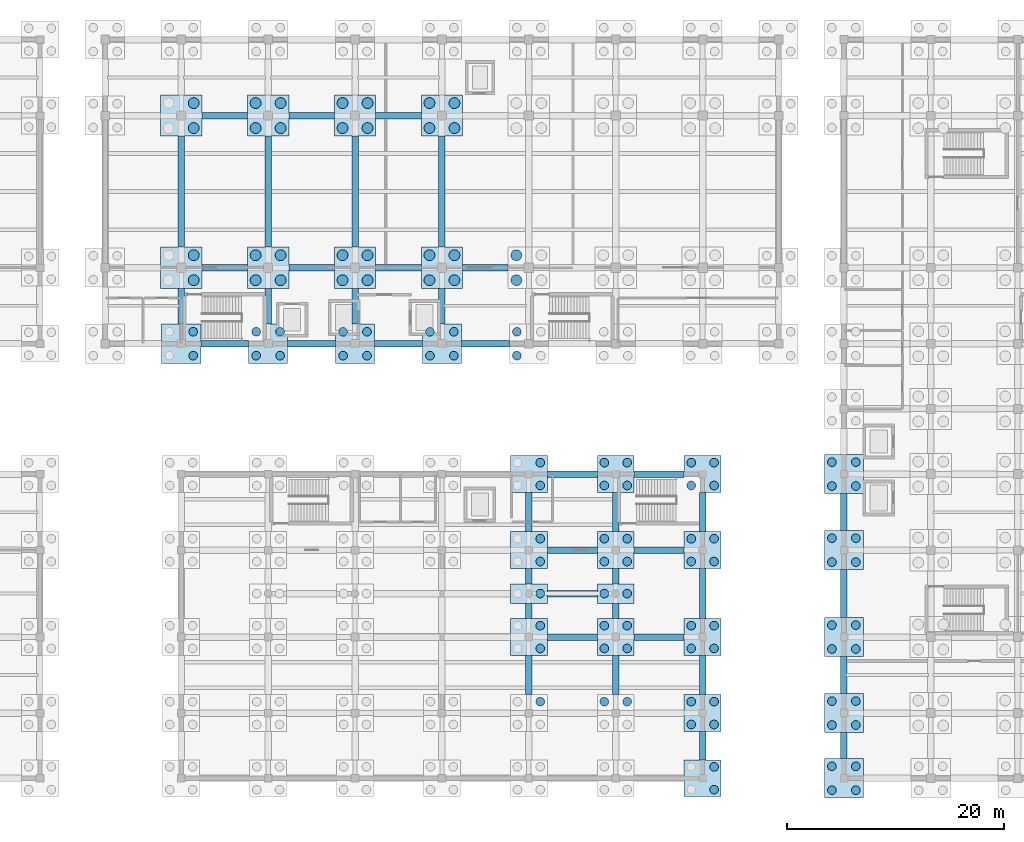
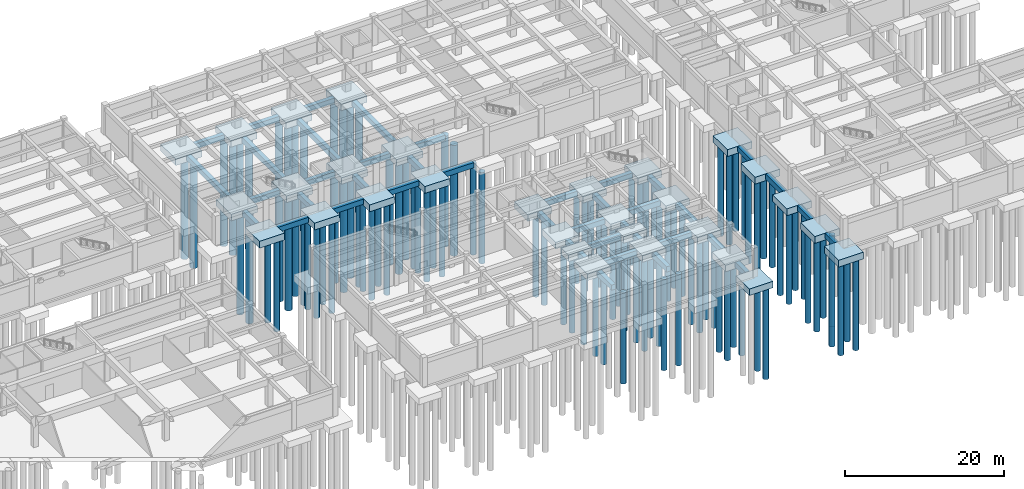
# One storey, part 4 of 28: 108 piles, 72 footings.
"""IFC4 building model written with IfcOpenShell, lengths in metres."""

from ifc_helpers import new_model, si_unit, direction, frame, origin, origin_2d, place, context, subcontext, project, spatial, rectangle, circle, extrude, material, material_profile, profile_set, type_object, element, save


model = new_model("IFC4")

# Units and contexts
model_context = context("Model", 3, precision=1e-05, world=origin(), true_north=direction((0.0, 1.0)))
body_context = subcontext(model_context, "Body", "Model", "MODEL_VIEW")
ifc_project = project(units=[si_unit("LENGTHUNIT", "METRE"), si_unit("AREAUNIT", "SQUARE_METRE"), si_unit("VOLUMEUNIT", "CUBIC_METRE"), si_unit("PLANEANGLEUNIT", "RADIAN"), si_unit("MASSUNIT", "GRAM", prefix="KILO")], contexts=[model_context])

# Site, building, storey
site_placement = place(None, origin())
site = spatial("IfcSite", under=ifc_project, at=site_placement, CompositionType="ELEMENT")
building_placement = place(site_placement, origin())
building = spatial("IfcBuilding", under=site, at=building_placement, Name="Naurynzar Civic Courthouse", CompositionType="ELEMENT")
storey_placement = place(building_placement, frame((0.0, 0.0, -4.5)))
storey = spatial("IfcBuildingStorey", under=building, at=storey_placement, Name="B01", CompositionType="ELEMENT", Elevation=-4.5)

# Footings
ifc_material_1 = material(Name="Concrete C35/45", Category="concrete")
footing_type_1 = type_object("IfcFootingType", Name="CAP-2A-3400x1800", PredefinedType="PILE_CAP", material=ifc_material_1)
for number, where, z_axis, x_axis, name in (
    (1, (101.0, 21.0, -1.39990234375), (0.0, 0.0, 1.0), (1.0, 0.0, 0.0), "V3 pile cap 37"),
    (2, (109.0, 21.0, -1.39990234375), (0.0, 0.0, 1.0), (1.0, 0.0, 0.0), "V3 pile cap 38"),
):
    element("IfcFooting", number, at=place(storey_placement, frame(where, z_axis=z_axis, x_axis=x_axis)), inside=storey, type_object=footing_type_1, Name=name, PredefinedType="PILE_CAP", context=body_context, shape_type="SweptSolid", body=[
        extrude(rectangle(XDim=3.39990234375, YDim=1.800048828125, at=origin_2d()), origin(), (0.0, 0.0, 1.0), 1.0),
    ])
ifc_material_2 = material(Name="Concrete C35/45", Category="concrete")
footing_type_2 = type_object("IfcFootingType", Name="CAP-4A-3400", PredefinedType="PILE_CAP", material=ifc_material_2)
for number, where, z_axis, x_axis, name in (
    (3, (101.0, 17.0, -1.39990234375), (0.0, 0.0, 1.0), (1.0, 0.0, 0.0), "V3 pile cap 22"),
    (4, (101.0, 25.0, -1.39990234375), (0.0, 0.0, 1.0), (1.0, 0.0, 0.0), "V3 pile cap 23"),
    (5, (101.0, 32.0, -1.39990234375), (0.0, 0.0, 1.0), (1.0, 0.0, 0.0), "V3 pile cap 24"),
    (6, (109.0, 17.0, -1.39990234375), (0.0, 0.0, 1.0), (1.0, 0.0, 0.0), "V3 pile cap 27"),
    (7, (109.0, 25.0, -1.39990234375), (0.0, 0.0, 1.0), (1.0, 0.0, 0.0), "V3 pile cap 28"),
    (8, (109.0, 32.0, -1.39990234375), (0.0, 0.0, 1.0), (1.0, 0.0, 0.0), "V3 pile cap 29"),
    (9, (117.0, 4.0, -1.39990234375), (0.0, 0.0, 1.0), (1.0, 0.0, 0.0), "V3 pile cap 30"),
    (10, (117.0, 10.0, -1.39990234375), (0.0, 0.0, 1.0), (1.0, 0.0, 0.0), "V3 pile cap 31"),
    (11, (117.0, 17.0, -1.39990234375), (0.0, 0.0, 1.0), (1.0, 0.0, 0.0), "V3 pile cap 32"),
    (12, (117.0, 25.0, -1.39990234375), (0.0, 0.0, 1.0), (1.0, 0.0, 0.0), "V3 pile cap 33"),
    (13, (117.0, 32.0, -1.39990234375), (0.0, 0.0, 1.0), (1.0, 0.0, 0.0), "V3 pile cap 34"),
):
    element("IfcFooting", number, at=place(storey_placement, frame(where, z_axis=z_axis, x_axis=x_axis)), inside=storey, type_object=footing_type_2, Name=name, PredefinedType="PILE_CAP", context=body_context, shape_type="SweptSolid", body=[
        extrude(rectangle(XDim=3.39990234375, YDim=3.39990234375, at=origin_2d()), origin(), (0.0, 0.0, 1.0), 1.0),
    ])
ifc_material_3 = material(Name="Concrete C35/45", Category="concrete")
footing_type_3 = type_object("IfcFootingType", Name="CAP-4B-3800", PredefinedType="PILE_CAP", material=ifc_material_3)
for number, where, z_axis, x_axis, name in (
    (14, (69.0, 51.0, -1.449951171875), (0.0, 0.0, 1.0), (1.0, 0.0, 0.0), "V2 pile cap 6"),
    (15, (69.0, 65.0, -1.449951171875), (0.0, 0.0, 1.0), (1.0, 0.0, 0.0), "V2 pile cap 7"),
    (16, (77.0, 51.0, -1.449951171875), (0.0, 0.0, 1.0), (1.0, 0.0, 0.0), "V2 pile cap 10"),
    (17, (77.0, 65.0, -1.449951171875), (0.0, 0.0, 1.0), (1.0, 0.0, 0.0), "V2 pile cap 11"),
    (18, (85.0, 51.0, -1.449951171875), (0.0, 0.0, 1.0), (1.0, 0.0, 0.0), "V2 pile cap 14"),
    (19, (85.0, 65.0, -1.449951171875), (0.0, 0.0, 1.0), (1.0, 0.0, 0.0), "V2 pile cap 15"),
    (20, (93.0, 51.0, -1.449951171875), (0.0, 0.0, 1.0), (1.0, 0.0, 0.0), "V2 pile cap 18"),
    (21, (93.0, 65.0, -1.449951171875), (0.0, 0.0, 1.0), (1.0, 0.0, 0.0), "V2 pile cap 19"),
):
    element("IfcFooting", number, at=place(storey_placement, frame(where, z_axis=z_axis, x_axis=x_axis)), inside=storey, type_object=footing_type_3, Name=name, PredefinedType="PILE_CAP", context=body_context, shape_type="SweptSolid", body=[
        extrude(rectangle(XDim=3.800048828125, YDim=3.800048828125, at=origin_2d()), origin(), (0.0, 0.0, 1.0), 1.0),
    ])
ifc_material_4 = material(Name="Concrete C35/45", Category="concrete")
footing_type_4 = type_object("IfcFootingType", Name="CAP-4C-3600", PredefinedType="PILE_CAP", material=ifc_material_4)
for number, where, z_axis, x_axis, name in (
    (22, (69.0, 44.0, -1.5), (0.0, 0.0, 1.0), (1.0, 0.0, 0.0), "V2 pile cap 5"),
    (23, (77.0, 44.0, -1.5), (0.0, 0.0, 1.0), (1.0, 0.0, 0.0), "V2 pile cap 9"),
    (24, (85.0, 44.0, -1.5), (0.0, 0.0, 1.0), (1.0, 0.0, 0.0), "V2 pile cap 13"),
    (25, (93.0, 44.0, -1.5), (0.0, 0.0, 1.0), (1.0, 0.0, 0.0), "V2 pile cap 17"),
    (26, (130.0, 4.0, -1.5), (0.0, 0.0, 1.0), (1.0, 0.0, 0.0), "V5 pile cap 1"),
    (27, (130.0, 10.0, -1.5), (0.0, 0.0, 1.0), (1.0, 0.0, 0.0), "V5 pile cap 2"),
    (28, (130.0, 17.0, -1.5), (0.0, 0.0, 1.0), (1.0, 0.0, 0.0), "V5 pile cap 3"),
    (29, (130.0, 25.0, -1.5), (0.0, 0.0, 1.0), (1.0, 0.0, 0.0), "V5 pile cap 4"),
    (30, (130.0, 32.0, -1.5), (0.0, 0.0, 1.0), (1.0, 0.0, 0.0), "V5 pile cap 5"),
):
    element("IfcFooting", number, at=place(storey_placement, frame(where, z_axis=z_axis, x_axis=x_axis)), inside=storey, type_object=footing_type_4, Name=name, PredefinedType="PILE_CAP", context=body_context, shape_type="SweptSolid", body=[
        extrude(rectangle(XDim=3.60009765625, YDim=3.60009765625, at=origin_2d()), origin(), (0.0, 0.0, 1.0), 1.050048828125),
    ])
ifc_material_5 = material(Name="Concrete C35/45", Category="concrete")
ifc_material_profile_1 = material_profile(ifc_material_5, rectangle(XDim=0.60009765625, YDim=0.800048828125, at=origin_2d()), Name="GB 600x800")
ifc_profile_set_1 = profile_set([ifc_material_profile_1], Name="Concrete C35/45")
footing_type_5 = type_object("IfcFootingType", Name="GB-600x800", PredefinedType="FOOTING_BEAM", material=ifc_profile_set_1)
for number, where, z_axis, x_axis, name in (
    (31, (70.800048828125, 44.0, -0.85009765625), (1.0, 0.0, 0.0), (0.0, 1.0, 0.0), "V2 ground tie beam X-2"),
    (32, (78.800048828125, 44.0, -0.85009765625), (1.0, 0.0, 0.0), (0.0, 1.0, 0.0), "V2 ground tie beam X-3"),
    (33, (86.800048828125, 44.0, -0.85009765625), (1.0, 0.0, 0.0), (0.0, 1.0, 0.0), "V2 ground tie beam X-4"),
    (34, (94.800048828125, 44.0, -0.85009765625), (1.0, 0.0, 0.0), (0.0, 1.0, 0.0), "V2 ground tie beam X-5"),
):
    element("IfcFooting", number, at=place(storey_placement, frame(where, z_axis=z_axis, x_axis=x_axis)), inside=storey, type_object=footing_type_5, Name=name, PredefinedType="FOOTING_BEAM", context=body_context, shape_type="SweptSolid", body=[
        extrude(rectangle(XDim=0.60009765625, YDim=0.800048828125, at=origin_2d()), origin(), (0.0, 0.0, 1.0), 4.39990234375),
    ])
for number, where, z_axis, x_axis, name in (
    (35, (70.89990234375, 51.0, -0.85009765625), (1.0, 0.0, 0.0), (0.0, 1.0, 0.0), "V2 ground tie beam X-10"),
    (36, (78.89990234375, 51.0, -0.85009765625), (1.0, 0.0, 0.0), (0.0, 1.0, 0.0), "V2 ground tie beam X-11"),
    (37, (86.89990234375, 51.0, -0.85009765625), (1.0, 0.0, 0.0), (0.0, 1.0, 0.0), "V2 ground tie beam X-12"),
    (38, (94.89990234375, 51.0, -0.85009765625), (1.0, 0.0, 0.0), (0.0, 1.0, 0.0), "V2 ground tie beam X-13"),
    (39, (70.89990234375, 65.0, -0.85009765625), (1.0, 0.0, 0.0), (0.0, 1.0, 0.0), "V2 ground tie beam X-18"),
    (40, (78.89990234375, 65.0, -0.85009765625), (1.0, 0.0, 0.0), (0.0, 1.0, 0.0), "V2 ground tie beam X-19"),
    (41, (86.89990234375, 65.0, -0.85009765625), (1.0, 0.0, 0.0), (0.0, 1.0, 0.0), "V2 ground tie beam X-20"),
):
    element("IfcFooting", number, at=place(storey_placement, frame(where, z_axis=z_axis, x_axis=x_axis)), inside=storey, type_object=footing_type_5, Name=name, PredefinedType="FOOTING_BEAM", context=body_context, shape_type="SweptSolid", body=[
        extrude(rectangle(XDim=0.60009765625, YDim=0.800048828125, at=origin_2d()), origin(), (0.0, 0.0, 1.0), 4.2001953125),
    ])
footing_1_placement = place(storey_placement, frame((69.0, 45.800048828125, -0.85009765625), z_axis=(0.0, 1.0, 0.0), x_axis=(-1.0, 0.0, 0.0)))
element("IfcFooting", 42, at=footing_1_placement, inside=storey, type_object=footing_type_5, Name="V2 ground tie beam Y-36", PredefinedType="FOOTING_BEAM", context=body_context, shape_type="SweptSolid", body=[
    extrude(rectangle(XDim=0.60009765625, YDim=0.800048828125, at=origin_2d()), origin(), (0.0, 0.0, 1.0), 3.300048828125),
])
footing_2_placement = place(storey_placement, frame((69.0, 52.89990234375, -0.85009765625), z_axis=(0.0, 1.0, 0.0), x_axis=(-1.0, 0.0, 0.0)))
element("IfcFooting", 43, at=footing_2_placement, inside=storey, type_object=footing_type_5, Name="V2 ground tie beam Y-37", PredefinedType="FOOTING_BEAM", context=body_context, shape_type="SweptSolid", body=[
    extrude(rectangle(XDim=0.60009765625, YDim=0.800048828125, at=origin_2d()), origin(), (0.0, 0.0, 1.0), 10.2001953125),
])
footing_3_placement = place(storey_placement, frame((77.0, 45.800048828125, -0.85009765625), z_axis=(0.0, 1.0, 0.0), x_axis=(-1.0, 0.0, 0.0)))
element("IfcFooting", 44, at=footing_3_placement, inside=storey, type_object=footing_type_5, Name="V2 ground tie beam Y-39", PredefinedType="FOOTING_BEAM", context=body_context, shape_type="SweptSolid", body=[
    extrude(rectangle(XDim=0.60009765625, YDim=0.800048828125, at=origin_2d()), origin(), (0.0, 0.0, 1.0), 3.300048828125),
])
footing_4_placement = place(storey_placement, frame((77.0, 52.89990234375, -0.85009765625), z_axis=(0.0, 1.0, 0.0), x_axis=(-1.0, 0.0, 0.0)))
element("IfcFooting", 45, at=footing_4_placement, inside=storey, type_object=footing_type_5, Name="V2 ground tie beam Y-40", PredefinedType="FOOTING_BEAM", context=body_context, shape_type="SweptSolid", body=[
    extrude(rectangle(XDim=0.60009765625, YDim=0.800048828125, at=origin_2d()), origin(), (0.0, 0.0, 1.0), 10.2001953125),
])
footing_5_placement = place(storey_placement, frame((85.0, 45.800048828125, -0.85009765625), z_axis=(0.0, 1.0, 0.0), x_axis=(-1.0, 0.0, 0.0)))
element("IfcFooting", 46, at=footing_5_placement, inside=storey, type_object=footing_type_5, Name="V2 ground tie beam Y-42", PredefinedType="FOOTING_BEAM", context=body_context, shape_type="SweptSolid", body=[
    extrude(rectangle(XDim=0.60009765625, YDim=0.800048828125, at=origin_2d()), origin(), (0.0, 0.0, 1.0), 3.300048828125),
])
footing_6_placement = place(storey_placement, frame((85.0, 52.89990234375, -0.85009765625), z_axis=(0.0, 1.0, 0.0), x_axis=(-1.0, 0.0, 0.0)))
element("IfcFooting", 47, at=footing_6_placement, inside=storey, type_object=footing_type_5, Name="V2 ground tie beam Y-43", PredefinedType="FOOTING_BEAM", context=body_context, shape_type="SweptSolid", body=[
    extrude(rectangle(XDim=0.60009765625, YDim=0.800048828125, at=origin_2d()), origin(), (0.0, 0.0, 1.0), 10.2001953125),
])
footing_7_placement = place(storey_placement, frame((93.0, 45.800048828125, -0.85009765625), z_axis=(0.0, 1.0, 0.0), x_axis=(-1.0, 0.0, 0.0)))
element("IfcFooting", 48, at=footing_7_placement, inside=storey, type_object=footing_type_5, Name="V2 ground tie beam Y-45", PredefinedType="FOOTING_BEAM", context=body_context, shape_type="SweptSolid", body=[
    extrude(rectangle(XDim=0.60009765625, YDim=0.800048828125, at=origin_2d()), origin(), (0.0, 0.0, 1.0), 3.300048828125),
])
footing_8_placement = place(storey_placement, frame((93.0, 52.89990234375, -0.85009765625), z_axis=(0.0, 1.0, 0.0), x_axis=(-1.0, 0.0, 0.0)))
element("IfcFooting", 49, at=footing_8_placement, inside=storey, type_object=footing_type_5, Name="V2 ground tie beam Y-46", PredefinedType="FOOTING_BEAM", context=body_context, shape_type="SweptSolid", body=[
    extrude(rectangle(XDim=0.60009765625, YDim=0.800048828125, at=origin_2d()), origin(), (0.0, 0.0, 1.0), 10.2001953125),
])
for number, where, z_axis, x_axis, name in (
    (50, (102.699951171875, 17.0, -0.800048828125), (1.0, 0.0, 0.0), (0.0, 1.0, 0.0), "V3 ground tie beam X-16"),
    (51, (110.699951171875, 17.0, -0.800048828125), (1.0, 0.0, 0.0), (0.0, 1.0, 0.0), "V3 ground tie beam X-17"),
    (52, (102.699951171875, 21.0, -0.800048828125), (1.0, 0.0, 0.0), (0.0, 1.0, 0.0), "V3 ground tie beam X-20"),
    (53, (102.699951171875, 25.0, -0.800048828125), (1.0, 0.0, 0.0), (0.0, 1.0, 0.0), "V3 ground tie beam X-25"),
    (54, (110.699951171875, 25.0, -0.800048828125), (1.0, 0.0, 0.0), (0.0, 1.0, 0.0), "V3 ground tie beam X-26"),
    (55, (102.699951171875, 32.0, -0.800048828125), (1.0, 0.0, 0.0), (0.0, 1.0, 0.0), "V3 ground tie beam X-31"),
    (56, (110.699951171875, 32.0, -0.800048828125), (1.0, 0.0, 0.0), (0.0, 1.0, 0.0), "V3 ground tie beam X-32"),
):
    element("IfcFooting", number, at=place(storey_placement, frame(where, z_axis=z_axis, x_axis=x_axis)), inside=storey, type_object=footing_type_5, Name=name, PredefinedType="FOOTING_BEAM", context=body_context, shape_type="SweptSolid", body=[
        extrude(rectangle(XDim=0.60009765625, YDim=0.800048828125, at=origin_2d()), origin(), (0.0, 0.0, 1.0), 4.60009765625),
    ])
footing_9_placement = place(storey_placement, frame((101.0, 11.699951171875, -0.800048828125), z_axis=(0.0, 1.0, 0.0), x_axis=(-1.0, 0.0, 0.0)))
element("IfcFooting", 57, at=footing_9_placement, inside=storey, type_object=footing_type_5, Name="V3 ground tie beam Y-53", PredefinedType="FOOTING_BEAM", context=body_context, shape_type="SweptSolid", body=[
    extrude(rectangle(XDim=0.60009765625, YDim=0.800048828125, at=origin_2d()), origin(), (0.0, 0.0, 1.0), 3.60009765625),
])
for number, where, z_axis, x_axis, name in (
    (58, (101.0, 18.699951171875, -0.800048828125), (0.0, 1.0, 0.0), (-1.0, 0.0, 0.0), "V3 ground tie beam Y-54"),
    (59, (101.0, 21.89990234375, -0.800048828125), (0.0, 1.0, 0.0), (-1.0, 0.0, 0.0), "V3 ground tie beam Y-55"),
):
    element("IfcFooting", number, at=place(storey_placement, frame(where, z_axis=z_axis, x_axis=x_axis)), inside=storey, type_object=footing_type_5, Name=name, PredefinedType="FOOTING_BEAM", context=body_context, shape_type="SweptSolid", body=[
        extrude(rectangle(XDim=0.60009765625, YDim=0.800048828125, at=origin_2d()), origin(), (0.0, 0.0, 1.0), 1.400146484375),
    ])
for number, where, z_axis, x_axis, name in (
    (60, (101.0, 26.699951171875, -0.800048828125), (0.0, 1.0, 0.0), (-1.0, 0.0, 0.0), "V3 ground tie beam Y-56"),
    (61, (109.0, 11.699951171875, -0.800048828125), (0.0, 1.0, 0.0), (-1.0, 0.0, 0.0), "V3 ground tie beam Y-58"),
):
    element("IfcFooting", number, at=place(storey_placement, frame(where, z_axis=z_axis, x_axis=x_axis)), inside=storey, type_object=footing_type_5, Name=name, PredefinedType="FOOTING_BEAM", context=body_context, shape_type="SweptSolid", body=[
        extrude(rectangle(XDim=0.60009765625, YDim=0.800048828125, at=origin_2d()), origin(), (0.0, 0.0, 1.0), 3.60009765625),
    ])
for number, where, z_axis, x_axis, name in (
    (62, (109.0, 18.699951171875, -0.800048828125), (0.0, 1.0, 0.0), (-1.0, 0.0, 0.0), "V3 ground tie beam Y-59"),
    (63, (109.0, 21.89990234375, -0.800048828125), (0.0, 1.0, 0.0), (-1.0, 0.0, 0.0), "V3 ground tie beam Y-60"),
):
    element("IfcFooting", number, at=place(storey_placement, frame(where, z_axis=z_axis, x_axis=x_axis)), inside=storey, type_object=footing_type_5, Name=name, PredefinedType="FOOTING_BEAM", context=body_context, shape_type="SweptSolid", body=[
        extrude(rectangle(XDim=0.60009765625, YDim=0.800048828125, at=origin_2d()), origin(), (0.0, 0.0, 1.0), 1.400146484375),
    ])
footing_10_placement = place(storey_placement, frame((109.0, 26.699951171875, -0.800048828125), z_axis=(0.0, 1.0, 0.0), x_axis=(-1.0, 0.0, 0.0)))
element("IfcFooting", 64, at=footing_10_placement, inside=storey, type_object=footing_type_5, Name="V3 ground tie beam Y-61", PredefinedType="FOOTING_BEAM", context=body_context, shape_type="SweptSolid", body=[
    extrude(rectangle(XDim=0.60009765625, YDim=0.800048828125, at=origin_2d()), origin(), (0.0, 0.0, 1.0), 3.60009765625),
])
footing_11_placement = place(storey_placement, frame((117.0, 5.699951171875, -0.800048828125), z_axis=(0.0, 1.0, 0.0), x_axis=(-1.0, 0.0, 0.0)))
element("IfcFooting", 65, at=footing_11_placement, inside=storey, type_object=footing_type_5, Name="V3 ground tie beam Y-62", PredefinedType="FOOTING_BEAM", context=body_context, shape_type="SweptSolid", body=[
    extrude(rectangle(XDim=0.60009765625, YDim=0.800048828125, at=origin_2d()), origin(), (0.0, 0.0, 1.0), 2.60009765625),
])
footing_12_placement = place(storey_placement, frame((117.0, 11.699951171875, -0.800048828125), z_axis=(0.0, 1.0, 0.0), x_axis=(-1.0, 0.0, 0.0)))
element("IfcFooting", 66, at=footing_12_placement, inside=storey, type_object=footing_type_5, Name="V3 ground tie beam Y-63", PredefinedType="FOOTING_BEAM", context=body_context, shape_type="SweptSolid", body=[
    extrude(rectangle(XDim=0.60009765625, YDim=0.800048828125, at=origin_2d()), origin(), (0.0, 0.0, 1.0), 3.60009765625),
])
footing_13_placement = place(storey_placement, frame((117.0, 18.699951171875, -0.800048828125), z_axis=(0.0, 1.0, 0.0), x_axis=(-1.0, 0.0, 0.0)))
element("IfcFooting", 67, at=footing_13_placement, inside=storey, type_object=footing_type_5, Name="V3 ground tie beam Y-64", PredefinedType="FOOTING_BEAM", context=body_context, shape_type="SweptSolid", body=[
    extrude(rectangle(XDim=0.60009765625, YDim=0.800048828125, at=origin_2d()), origin(), (0.0, 0.0, 1.0), 4.60009765625),
])
footing_14_placement = place(storey_placement, frame((117.0, 26.699951171875, -0.800048828125), z_axis=(0.0, 1.0, 0.0), x_axis=(-1.0, 0.0, 0.0)))
element("IfcFooting", 68, at=footing_14_placement, inside=storey, type_object=footing_type_5, Name="V3 ground tie beam Y-65", PredefinedType="FOOTING_BEAM", context=body_context, shape_type="SweptSolid", body=[
    extrude(rectangle(XDim=0.60009765625, YDim=0.800048828125, at=origin_2d()), origin(), (0.0, 0.0, 1.0), 3.60009765625),
])
footing_15_placement = place(storey_placement, frame((130.0, 5.800048828125, -0.85009765625), z_axis=(0.0, 1.0, 0.0), x_axis=(-1.0, 0.0, 0.0)))
element("IfcFooting", 69, at=footing_15_placement, inside=storey, type_object=footing_type_5, Name="V5 ground tie beam Y-47", PredefinedType="FOOTING_BEAM", context=body_context, shape_type="SweptSolid", body=[
    extrude(rectangle(XDim=0.60009765625, YDim=0.800048828125, at=origin_2d()), origin(), (0.0, 0.0, 1.0), 2.39990234375),
])
footing_16_placement = place(storey_placement, frame((130.0, 11.800048828125, -0.85009765625), z_axis=(0.0, 1.0, 0.0), x_axis=(-1.0, 0.0, 0.0)))
element("IfcFooting", 70, at=footing_16_placement, inside=storey, type_object=footing_type_5, Name="V5 ground tie beam Y-48", PredefinedType="FOOTING_BEAM", context=body_context, shape_type="SweptSolid", body=[
    extrude(rectangle(XDim=0.60009765625, YDim=0.800048828125, at=origin_2d()), origin(), (0.0, 0.0, 1.0), 3.39990234375),
])
footing_17_placement = place(storey_placement, frame((130.0, 18.800048828125, -0.85009765625), z_axis=(0.0, 1.0, 0.0), x_axis=(-1.0, 0.0, 0.0)))
element("IfcFooting", 71, at=footing_17_placement, inside=storey, type_object=footing_type_5, Name="V5 ground tie beam Y-49", PredefinedType="FOOTING_BEAM", context=body_context, shape_type="SweptSolid", body=[
    extrude(rectangle(XDim=0.60009765625, YDim=0.800048828125, at=origin_2d()), origin(), (0.0, 0.0, 1.0), 4.39990234375),
])
footing_18_placement = place(storey_placement, frame((130.0, 26.800048828125, -0.85009765625), z_axis=(0.0, 1.0, 0.0), x_axis=(-1.0, 0.0, 0.0)))
element("IfcFooting", 72, at=footing_18_placement, inside=storey, type_object=footing_type_5, Name="V5 ground tie beam Y-50", PredefinedType="FOOTING_BEAM", context=body_context, shape_type="SweptSolid", body=[
    extrude(rectangle(XDim=0.60009765625, YDim=0.800048828125, at=origin_2d()), origin(), (0.0, 0.0, 1.0), 3.39990234375),
])

# Piles
ifc_material_6 = material(Name="Concrete C35/45", Category="concrete")
ifc_material_profile_2 = material_profile(ifc_material_6, circle(Radius=0.5, at=origin_2d()), Name="PILE D1000")
ifc_profile_set_2 = profile_set([ifc_material_profile_2], Name="Concrete C35/45")
pile_type_1 = type_object("IfcPileType", Name="PILE-BORED-D1000", PredefinedType="BORED", material=ifc_profile_set_2)
for number, where, z_axis, x_axis, name in (
    (73, (70.14990234375, 49.85009765625, -1.449951171875), (0.0, 0.0, -1.0), (1.0, 0.0, 0.0), "V2 bored pile 6.2"),
    (74, (70.14990234375, 52.14990234375, -1.449951171875), (0.0, 0.0, -1.0), (1.0, 0.0, 0.0), "V2 bored pile 6.4"),
    (75, (70.14990234375, 63.85009765625, -1.449951171875), (0.0, 0.0, -1.0), (1.0, 0.0, 0.0), "V2 bored pile 7.2"),
    (76, (70.14990234375, 66.14990234375, -1.449951171875), (0.0, 0.0, -1.0), (1.0, 0.0, 0.0), "V2 bored pile 7.4"),
    (77, (75.85009765625, 49.85009765625, -1.449951171875), (0.0, 0.0, -1.0), (1.0, 0.0, 0.0), "V2 bored pile 10.1"),
    (78, (78.14990234375, 49.85009765625, -1.449951171875), (0.0, 0.0, -1.0), (1.0, 0.0, 0.0), "V2 bored pile 10.2"),
    (79, (75.85009765625, 52.14990234375, -1.449951171875), (0.0, 0.0, -1.0), (1.0, 0.0, 0.0), "V2 bored pile 10.3"),
    (80, (78.14990234375, 52.14990234375, -1.449951171875), (0.0, 0.0, -1.0), (1.0, 0.0, 0.0), "V2 bored pile 10.4"),
    (81, (75.85009765625, 63.85009765625, -1.449951171875), (0.0, 0.0, -1.0), (1.0, 0.0, 0.0), "V2 bored pile 11.1"),
    (82, (78.14990234375, 63.85009765625, -1.449951171875), (0.0, 0.0, -1.0), (1.0, 0.0, 0.0), "V2 bored pile 11.2"),
    (83, (75.85009765625, 66.14990234375, -1.449951171875), (0.0, 0.0, -1.0), (1.0, 0.0, 0.0), "V2 bored pile 11.3"),
    (84, (78.14990234375, 66.14990234375, -1.449951171875), (0.0, 0.0, -1.0), (1.0, 0.0, 0.0), "V2 bored pile 11.4"),
    (85, (83.85009765625, 49.85009765625, -1.449951171875), (0.0, 0.0, -1.0), (1.0, 0.0, 0.0), "V2 bored pile 14.1"),
    (86, (86.14990234375, 49.85009765625, -1.449951171875), (0.0, 0.0, -1.0), (1.0, 0.0, 0.0), "V2 bored pile 14.2"),
    (87, (83.85009765625, 52.14990234375, -1.449951171875), (0.0, 0.0, -1.0), (1.0, 0.0, 0.0), "V2 bored pile 14.3"),
    (88, (86.14990234375, 52.14990234375, -1.449951171875), (0.0, 0.0, -1.0), (1.0, 0.0, 0.0), "V2 bored pile 14.4"),
    (89, (83.85009765625, 63.85009765625, -1.449951171875), (0.0, 0.0, -1.0), (1.0, 0.0, 0.0), "V2 bored pile 15.1"),
    (90, (86.14990234375, 63.85009765625, -1.449951171875), (0.0, 0.0, -1.0), (1.0, 0.0, 0.0), "V2 bored pile 15.2"),
    (91, (83.85009765625, 66.14990234375, -1.449951171875), (0.0, 0.0, -1.0), (1.0, 0.0, 0.0), "V2 bored pile 15.3"),
    (92, (86.14990234375, 66.14990234375, -1.449951171875), (0.0, 0.0, -1.0), (1.0, 0.0, 0.0), "V2 bored pile 15.4"),
    (93, (91.85009765625, 49.85009765625, -1.449951171875), (0.0, 0.0, -1.0), (1.0, 0.0, 0.0), "V2 bored pile 18.1"),
    (94, (94.14990234375, 49.85009765625, -1.449951171875), (0.0, 0.0, -1.0), (1.0, 0.0, 0.0), "V2 bored pile 18.2"),
    (95, (91.85009765625, 52.14990234375, -1.449951171875), (0.0, 0.0, -1.0), (1.0, 0.0, 0.0), "V2 bored pile 18.3"),
    (96, (94.14990234375, 52.14990234375, -1.449951171875), (0.0, 0.0, -1.0), (1.0, 0.0, 0.0), "V2 bored pile 18.4"),
    (97, (91.85009765625, 63.85009765625, -1.449951171875), (0.0, 0.0, -1.0), (1.0, 0.0, 0.0), "V2 bored pile 19.1"),
    (98, (94.14990234375, 63.85009765625, -1.449951171875), (0.0, 0.0, -1.0), (1.0, 0.0, 0.0), "V2 bored pile 19.2"),
    (99, (91.85009765625, 66.14990234375, -1.449951171875), (0.0, 0.0, -1.0), (1.0, 0.0, 0.0), "V2 bored pile 19.3"),
    (100, (94.14990234375, 66.14990234375, -1.449951171875), (0.0, 0.0, -1.0), (1.0, 0.0, 0.0), "V2 bored pile 19.4"),
    (101, (99.85009765625, 49.85009765625, -1.449951171875), (0.0, 0.0, -1.0), (1.0, 0.0, 0.0), "V2 bored pile 22.1"),
    (102, (99.85009765625, 52.14990234375, -1.449951171875), (0.0, 0.0, -1.0), (1.0, 0.0, 0.0), "V2 bored pile 22.3"),
):
    element("IfcPile", number, at=place(storey_placement, frame(where, z_axis=z_axis, x_axis=x_axis)), inside=storey, type_object=pile_type_1, Name=name, PredefinedType="BORED", context=body_context, shape_type="SweptSolid", body=[
        extrude(circle(Radius=0.5, at=origin_2d()), origin(), (0.0, 0.0, 1.0), 17.0),
    ])
ifc_material_7 = material(Name="Concrete C35/45", Category="concrete")
ifc_material_profile_3 = material_profile(ifc_material_7, circle(Radius=0.39990234375, at=origin_2d()), Name="PILE D800")
ifc_profile_set_3 = profile_set([ifc_material_profile_3], Name="Concrete C35/45")
pile_type_2 = type_object("IfcPileType", Name="PILE-BORED-D800", PredefinedType="BORED", material=ifc_profile_set_3)
for number, where, z_axis, x_axis, name in (
    (103, (70.10009765625, 42.89990234375, -1.5), (0.0, 0.0, -1.0), (1.0, 0.0, 0.0), "V2 bored pile 5.2"),
    (104, (70.10009765625, 45.10009765625, -1.5), (0.0, 0.0, -1.0), (1.0, 0.0, 0.0), "V2 bored pile 5.4"),
    (105, (75.89990234375, 42.89990234375, -1.5), (0.0, 0.0, -1.0), (1.0, 0.0, 0.0), "V2 bored pile 9.1"),
    (106, (78.10009765625, 42.89990234375, -1.5), (0.0, 0.0, -1.0), (1.0, 0.0, 0.0), "V2 bored pile 9.2"),
    (107, (75.89990234375, 45.10009765625, -1.5), (0.0, 0.0, -1.0), (1.0, 0.0, 0.0), "V2 bored pile 9.3"),
    (108, (78.10009765625, 45.10009765625, -1.5), (0.0, 0.0, -1.0), (1.0, 0.0, 0.0), "V2 bored pile 9.4"),
    (109, (83.89990234375, 42.89990234375, -1.5), (0.0, 0.0, -1.0), (1.0, 0.0, 0.0), "V2 bored pile 13.1"),
    (110, (86.10009765625, 42.89990234375, -1.5), (0.0, 0.0, -1.0), (1.0, 0.0, 0.0), "V2 bored pile 13.2"),
    (111, (83.89990234375, 45.10009765625, -1.5), (0.0, 0.0, -1.0), (1.0, 0.0, 0.0), "V2 bored pile 13.3"),
    (112, (86.10009765625, 45.10009765625, -1.5), (0.0, 0.0, -1.0), (1.0, 0.0, 0.0), "V2 bored pile 13.4"),
    (113, (91.89990234375, 42.89990234375, -1.5), (0.0, 0.0, -1.0), (1.0, 0.0, 0.0), "V2 bored pile 17.1"),
    (114, (94.10009765625, 42.89990234375, -1.5), (0.0, 0.0, -1.0), (1.0, 0.0, 0.0), "V2 bored pile 17.2"),
    (115, (91.89990234375, 45.10009765625, -1.5), (0.0, 0.0, -1.0), (1.0, 0.0, 0.0), "V2 bored pile 17.3"),
    (116, (94.10009765625, 45.10009765625, -1.5), (0.0, 0.0, -1.0), (1.0, 0.0, 0.0), "V2 bored pile 17.4"),
    (117, (99.89990234375, 42.89990234375, -1.5), (0.0, 0.0, -1.0), (1.0, 0.0, 0.0), "V2 bored pile 21.1"),
    (118, (99.89990234375, 45.10009765625, -1.5), (0.0, 0.0, -1.0), (1.0, 0.0, 0.0), "V2 bored pile 21.3"),
    (119, (102.050048828125, 11.050048828125, -1.39990234375), (0.0, 0.0, -1.0), (1.0, 0.0, 0.0), "V3 bored pile 21.4"),
    (120, (102.050048828125, 15.949951171875, -1.39990234375), (0.0, 0.0, -1.0), (1.0, 0.0, 0.0), "V3 bored pile 22.2"),
    (121, (102.050048828125, 18.050048828125, -1.39990234375), (0.0, 0.0, -1.0), (1.0, 0.0, 0.0), "V3 bored pile 22.4"),
    (122, (102.050048828125, 23.949951171875, -1.39990234375), (0.0, 0.0, -1.0), (1.0, 0.0, 0.0), "V3 bored pile 23.2"),
    (123, (102.050048828125, 26.050048828125, -1.39990234375), (0.0, 0.0, -1.0), (1.0, 0.0, 0.0), "V3 bored pile 23.4"),
    (124, (102.050048828125, 30.949951171875, -1.39990234375), (0.0, 0.0, -1.0), (1.0, 0.0, 0.0), "V3 bored pile 24.2"),
    (125, (102.050048828125, 33.050048828125, -1.39990234375), (0.0, 0.0, -1.0), (1.0, 0.0, 0.0), "V3 bored pile 24.4"),
    (126, (107.949951171875, 11.050048828125, -1.39990234375), (0.0, 0.0, -1.0), (1.0, 0.0, 0.0), "V3 bored pile 26.3"),
    (127, (110.050048828125, 11.050048828125, -1.39990234375), (0.0, 0.0, -1.0), (1.0, 0.0, 0.0), "V3 bored pile 26.4"),
    (128, (107.949951171875, 15.949951171875, -1.39990234375), (0.0, 0.0, -1.0), (1.0, 0.0, 0.0), "V3 bored pile 27.1"),
    (129, (110.050048828125, 15.949951171875, -1.39990234375), (0.0, 0.0, -1.0), (1.0, 0.0, 0.0), "V3 bored pile 27.2"),
    (130, (107.949951171875, 18.050048828125, -1.39990234375), (0.0, 0.0, -1.0), (1.0, 0.0, 0.0), "V3 bored pile 27.3"),
    (131, (110.050048828125, 18.050048828125, -1.39990234375), (0.0, 0.0, -1.0), (1.0, 0.0, 0.0), "V3 bored pile 27.4"),
    (132, (107.949951171875, 23.949951171875, -1.39990234375), (0.0, 0.0, -1.0), (1.0, 0.0, 0.0), "V3 bored pile 28.1"),
    (133, (110.050048828125, 23.949951171875, -1.39990234375), (0.0, 0.0, -1.0), (1.0, 0.0, 0.0), "V3 bored pile 28.2"),
    (134, (107.949951171875, 26.050048828125, -1.39990234375), (0.0, 0.0, -1.0), (1.0, 0.0, 0.0), "V3 bored pile 28.3"),
    (135, (110.050048828125, 26.050048828125, -1.39990234375), (0.0, 0.0, -1.0), (1.0, 0.0, 0.0), "V3 bored pile 28.4"),
    (136, (107.949951171875, 30.949951171875, -1.39990234375), (0.0, 0.0, -1.0), (1.0, 0.0, 0.0), "V3 bored pile 29.1"),
    (137, (110.050048828125, 30.949951171875, -1.39990234375), (0.0, 0.0, -1.0), (1.0, 0.0, 0.0), "V3 bored pile 29.2"),
    (138, (107.949951171875, 33.050048828125, -1.39990234375), (0.0, 0.0, -1.0), (1.0, 0.0, 0.0), "V3 bored pile 29.3"),
    (139, (110.050048828125, 33.050048828125, -1.39990234375), (0.0, 0.0, -1.0), (1.0, 0.0, 0.0), "V3 bored pile 29.4"),
    (140, (118.050048828125, 2.949951171875, -1.39990234375), (0.0, 0.0, -1.0), (1.0, 0.0, 0.0), "V3 bored pile 30.2"),
    (141, (118.050048828125, 5.050048828125, -1.39990234375), (0.0, 0.0, -1.0), (1.0, 0.0, 0.0), "V3 bored pile 30.4"),
    (142, (115.949951171875, 8.949951171875, -1.39990234375), (0.0, 0.0, -1.0), (1.0, 0.0, 0.0), "V3 bored pile 31.1"),
    (143, (118.050048828125, 8.949951171875, -1.39990234375), (0.0, 0.0, -1.0), (1.0, 0.0, 0.0), "V3 bored pile 31.2"),
    (144, (115.949951171875, 11.050048828125, -1.39990234375), (0.0, 0.0, -1.0), (1.0, 0.0, 0.0), "V3 bored pile 31.3"),
    (145, (118.050048828125, 11.050048828125, -1.39990234375), (0.0, 0.0, -1.0), (1.0, 0.0, 0.0), "V3 bored pile 31.4"),
    (146, (115.949951171875, 15.949951171875, -1.39990234375), (0.0, 0.0, -1.0), (1.0, 0.0, 0.0), "V3 bored pile 32.1"),
    (147, (118.050048828125, 15.949951171875, -1.39990234375), (0.0, 0.0, -1.0), (1.0, 0.0, 0.0), "V3 bored pile 32.2"),
    (148, (115.949951171875, 18.050048828125, -1.39990234375), (0.0, 0.0, -1.0), (1.0, 0.0, 0.0), "V3 bored pile 32.3"),
    (149, (118.050048828125, 18.050048828125, -1.39990234375), (0.0, 0.0, -1.0), (1.0, 0.0, 0.0), "V3 bored pile 32.4"),
    (150, (115.949951171875, 23.949951171875, -1.39990234375), (0.0, 0.0, -1.0), (1.0, 0.0, 0.0), "V3 bored pile 33.1"),
    (151, (118.050048828125, 23.949951171875, -1.39990234375), (0.0, 0.0, -1.0), (1.0, 0.0, 0.0), "V3 bored pile 33.2"),
    (152, (115.949951171875, 26.050048828125, -1.39990234375), (0.0, 0.0, -1.0), (1.0, 0.0, 0.0), "V3 bored pile 33.3"),
    (153, (118.050048828125, 26.050048828125, -1.39990234375), (0.0, 0.0, -1.0), (1.0, 0.0, 0.0), "V3 bored pile 33.4"),
    (154, (115.949951171875, 30.949951171875, -1.39990234375), (0.0, 0.0, -1.0), (1.0, 0.0, 0.0), "V3 bored pile 34.1"),
    (155, (118.050048828125, 30.949951171875, -1.39990234375), (0.0, 0.0, -1.0), (1.0, 0.0, 0.0), "V3 bored pile 34.2"),
    (156, (115.949951171875, 33.050048828125, -1.39990234375), (0.0, 0.0, -1.0), (1.0, 0.0, 0.0), "V3 bored pile 34.3"),
    (157, (118.050048828125, 33.050048828125, -1.39990234375), (0.0, 0.0, -1.0), (1.0, 0.0, 0.0), "V3 bored pile 34.4"),
    (158, (102.050048828125, 21.0, -1.39990234375), (0.0, 0.0, -1.0), (1.0, 0.0, 0.0), "V3 bored pile 37.2"),
    (159, (107.949951171875, 21.0, -1.39990234375), (0.0, 0.0, -1.0), (1.0, 0.0, 0.0), "V3 bored pile 38.1"),
    (160, (110.050048828125, 21.0, -1.39990234375), (0.0, 0.0, -1.0), (1.0, 0.0, 0.0), "V3 bored pile 38.2"),
    (161, (128.89990234375, 2.89990234375, -1.5), (0.0, 0.0, -1.0), (1.0, 0.0, 0.0), "V5 bored pile 1.1"),
    (162, (131.10009765625, 2.89990234375, -1.5), (0.0, 0.0, -1.0), (1.0, 0.0, 0.0), "V5 bored pile 1.2"),
    (163, (128.89990234375, 5.10009765625, -1.5), (0.0, 0.0, -1.0), (1.0, 0.0, 0.0), "V5 bored pile 1.3"),
    (164, (131.10009765625, 5.10009765625, -1.5), (0.0, 0.0, -1.0), (1.0, 0.0, 0.0), "V5 bored pile 1.4"),
    (165, (128.89990234375, 8.89990234375, -1.5), (0.0, 0.0, -1.0), (1.0, 0.0, 0.0), "V5 bored pile 2.1"),
    (166, (131.10009765625, 8.89990234375, -1.5), (0.0, 0.0, -1.0), (1.0, 0.0, 0.0), "V5 bored pile 2.2"),
    (167, (128.89990234375, 11.10009765625, -1.5), (0.0, 0.0, -1.0), (1.0, 0.0, 0.0), "V5 bored pile 2.3"),
    (168, (131.10009765625, 11.10009765625, -1.5), (0.0, 0.0, -1.0), (1.0, 0.0, 0.0), "V5 bored pile 2.4"),
    (169, (128.89990234375, 15.89990234375, -1.5), (0.0, 0.0, -1.0), (1.0, 0.0, 0.0), "V5 bored pile 3.1"),
    (170, (131.10009765625, 15.89990234375, -1.5), (0.0, 0.0, -1.0), (1.0, 0.0, 0.0), "V5 bored pile 3.2"),
    (171, (128.89990234375, 18.10009765625, -1.5), (0.0, 0.0, -1.0), (1.0, 0.0, 0.0), "V5 bored pile 3.3"),
    (172, (131.10009765625, 18.10009765625, -1.5), (0.0, 0.0, -1.0), (1.0, 0.0, 0.0), "V5 bored pile 3.4"),
    (173, (128.89990234375, 23.89990234375, -1.5), (0.0, 0.0, -1.0), (1.0, 0.0, 0.0), "V5 bored pile 4.1"),
    (174, (131.10009765625, 23.89990234375, -1.5), (0.0, 0.0, -1.0), (1.0, 0.0, 0.0), "V5 bored pile 4.2"),
    (175, (128.89990234375, 26.10009765625, -1.5), (0.0, 0.0, -1.0), (1.0, 0.0, 0.0), "V5 bored pile 4.3"),
    (176, (131.10009765625, 26.10009765625, -1.5), (0.0, 0.0, -1.0), (1.0, 0.0, 0.0), "V5 bored pile 4.4"),
    (177, (128.89990234375, 30.89990234375, -1.5), (0.0, 0.0, -1.0), (1.0, 0.0, 0.0), "V5 bored pile 5.1"),
    (178, (131.10009765625, 30.89990234375, -1.5), (0.0, 0.0, -1.0), (1.0, 0.0, 0.0), "V5 bored pile 5.2"),
    (179, (128.89990234375, 33.10009765625, -1.5), (0.0, 0.0, -1.0), (1.0, 0.0, 0.0), "V5 bored pile 5.3"),
    (180, (131.10009765625, 33.10009765625, -1.5), (0.0, 0.0, -1.0), (1.0, 0.0, 0.0), "V5 bored pile 5.4"),
):
    element("IfcPile", number, at=place(storey_placement, frame(where, z_axis=z_axis, x_axis=x_axis)), inside=storey, type_object=pile_type_2, Name=name, PredefinedType="BORED", context=body_context, shape_type="SweptSolid", body=[
        extrude(circle(Radius=0.39990234375, at=origin_2d()), origin(), (0.0, 0.0, 1.0), 14.0),
    ])

save(model, "model.ifc")
